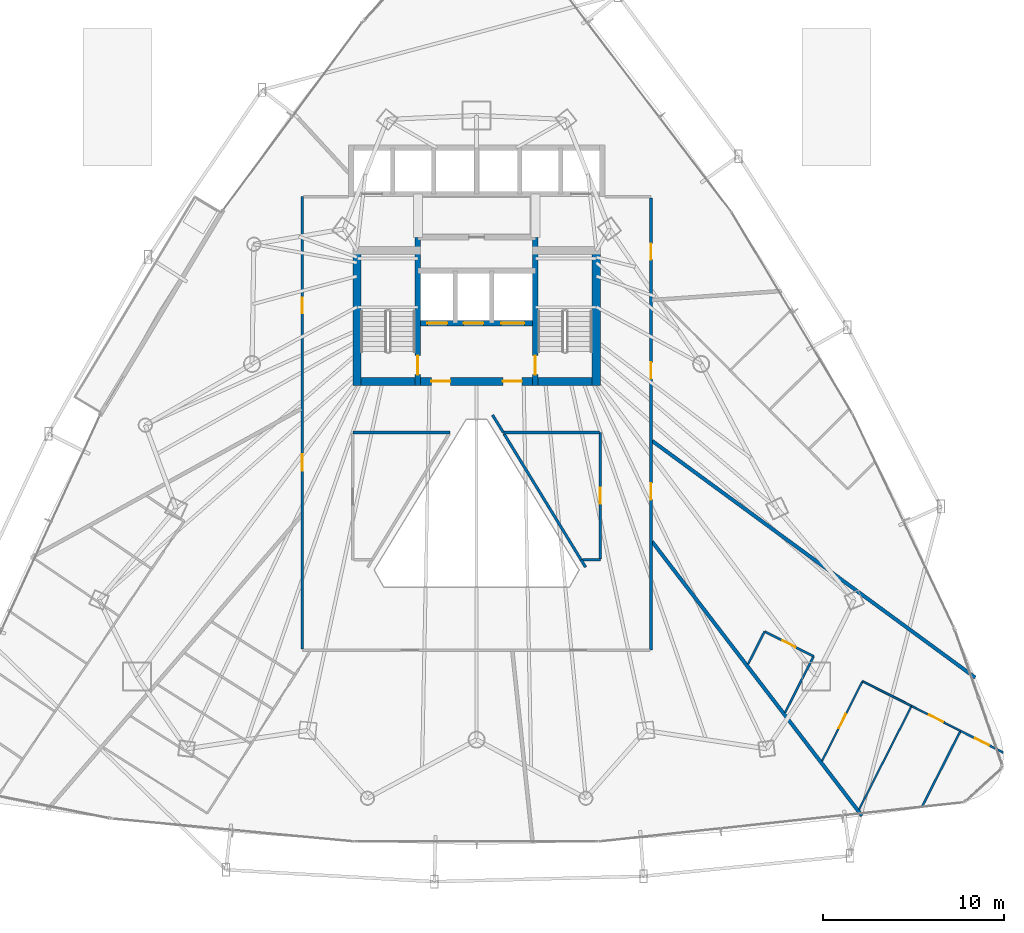
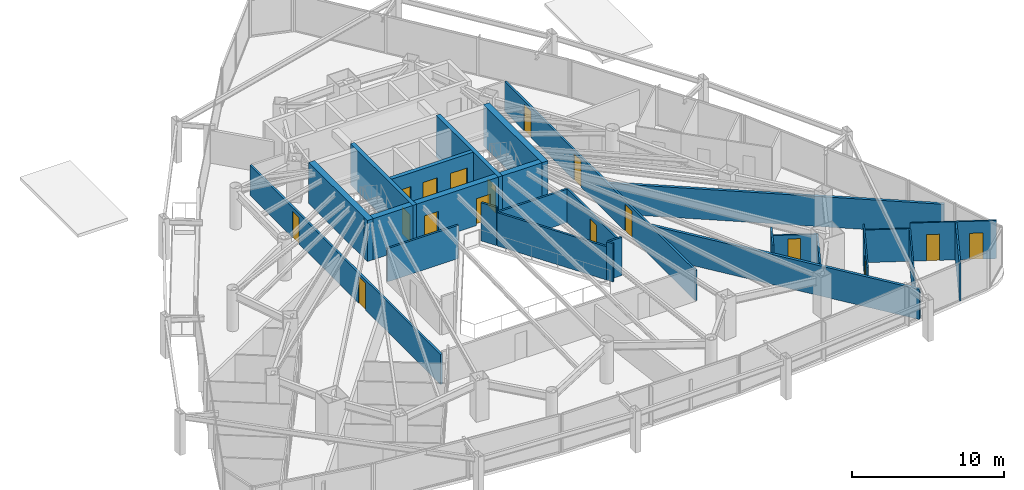
# One storey, part 30 of 35: 26 walls, 17 doors, 17 openings.
"""IFC4 building model written with IfcOpenShell, lengths in metres."""

from ifc_helpers import new_model, si_unit, direction, frame, frame_2d, origin, place, context, subcontext, project, spatial, rectangle, extrude, material, layer, layer_set, type_object, element, fill, save


model = new_model("IFC4")

# Units and contexts
model_context = context("Model", 3, precision=1e-05, world=origin(), true_north=direction((0.0, 1.0)))
body_context = subcontext(model_context, "Body", "Model", "MODEL_VIEW")
ifc_project = project(units=[si_unit("LENGTHUNIT", "METRE"), si_unit("AREAUNIT", "SQUARE_METRE"), si_unit("VOLUMEUNIT", "CUBIC_METRE"), si_unit("PLANEANGLEUNIT", "RADIAN"), si_unit("MASSUNIT", "GRAM", prefix="KILO")], contexts=[model_context])

# Site, building, storey
site_placement = place(None, origin())
site = spatial("IfcSite", under=ifc_project, at=site_placement, CompositionType="ELEMENT")
building_placement = place(site_placement, origin())
building = spatial("IfcBuilding", under=site, at=building_placement, Name="Orvanel Arch Residences", CompositionType="ELEMENT")
storey_placement = place(building_placement, frame((0.0, 0.0, 26.89990234375)))
storey = spatial("IfcBuildingStorey", under=building, at=storey_placement, Name="L06", CompositionType="ELEMENT", Elevation=26.89990234375)

# Wall, opening, door
ifc_material_1 = material(Name="Concrete S80 (80 MPa)", Category="concrete")
ifc_layer_1 = layer(ifc_material_1, 0.300048828125)
ifc_layer_set_1 = layer_set([ifc_layer_1], Name="Concrete S80 (80 MPa)")
wall_type_1 = type_object("IfcWallType", Name="SW-CORE-300", PredefinedType="SHEAR", material=ifc_layer_set_1)
wall_1_placement = place(storey_placement, frame((29.75, 26.449951171875, 0.0), z_axis=(0.0, 0.0, 1.0), x_axis=(0.0, 1.0, 0.0)))
wall_1 = element("IfcWall", 1, at=wall_1_placement, inside=storey, type_object=wall_type_1, Name="L06 West Inner Core Spine Shear Wall", PredefinedType="SHEAR", context=body_context, shape_type="SweptSolid", body=[
    extrude(rectangle(XDim=8.199951171875, YDim=0.300048828125, at=frame_2d((4.10009765625, 0.0))), origin(), (0.0, 0.0, 1.0), 3.300048828125),
])
opening_1_placement = place(wall_1_placement, frame((0.60009765625, 0.0, 0.0)))
opening_1 = element("IfcOpeningElement", 2, at=opening_1_placement, cuts=wall_1, Name="Opening DF-120", PredefinedType="OPENING", context=body_context, shape_type="SweptSolid", body=[
    extrude(rectangle(XDim=1.050048828125, YDim=2.14990234375, at=frame_2d((0.52490234375, 1.074951171875))), frame((0.0, 0.159912109375, 0.0), z_axis=(0.0, -1.0, 0.0), x_axis=(1.0, 0.0, 0.0)), (0.0, 0.0, 1.0), 0.320068359375),
])
ifc_material_2 = material(Name="Galvanised steel fire-resisting door assembly", Category="steel")
door_type_1 = type_object("IfcDoorType", Name="DR-FD120-1050", OperationType="NOTDEFINED", PredefinedType="DOOR", material=ifc_material_2)
door_1_placement = place(opening_1_placement, origin())
door_1 = element("IfcDoor", 3, at=door_1_placement, inside=storey, type_object=door_type_1, Name="DR-L06-ST1 L06 Stair 1 Fire Door", OperationType="SINGLE_SWING_LEFT", OverallHeight=2.14990234375, OverallWidth=1.050048828125, PredefinedType="DOOR", context=body_context, shape_type="SweptSolid", body=[
    extrude(rectangle(XDim=1.050048828125, YDim=2.14990234375, at=frame_2d((0.52490234375, 1.074951171875))), frame((0.0, 0.02490234375, 0.0), z_axis=(0.0, -1.0, 0.0), x_axis=(1.0, 0.0, 0.0)), (0.0, 0.0, 1.0), 0.050048828125),
])
fill(opening_1, door_1)

wall_2_placement = place(storey_placement, frame((36.25, 26.449951171875, 0.0), z_axis=(0.0, 0.0, 1.0), x_axis=(0.0, 1.0, 0.0)))
wall_2 = element("IfcWall", 4, at=wall_2_placement, inside=storey, type_object=wall_type_1, Name="L06 East Inner Core Spine Shear Wall", PredefinedType="SHEAR", context=body_context, shape_type="SweptSolid", body=[
    extrude(rectangle(XDim=8.199951171875, YDim=0.300048828125, at=frame_2d((4.10009765625, 0.0))), origin(), (0.0, 0.0, 1.0), 3.300048828125),
])
opening_2_placement = place(wall_2_placement, frame((0.60009765625, 0.0, 0.0)))
opening_2 = element("IfcOpeningElement", 5, at=opening_2_placement, cuts=wall_2, Name="Opening DF-120", PredefinedType="OPENING", context=body_context, shape_type="SweptSolid", body=[
    extrude(rectangle(XDim=1.050048828125, YDim=2.14990234375, at=frame_2d((0.52490234375, 1.074951171875))), frame((0.0, 0.159912109375, 0.0), z_axis=(0.0, -1.0, 0.0), x_axis=(1.0, 0.0, 0.0)), (0.0, 0.0, 1.0), 0.320068359375),
])
door_2_placement = place(opening_2_placement, origin())
door_2 = element("IfcDoor", 6, at=door_2_placement, inside=storey, type_object=door_type_1, Name="DR-L06-ST2 L06 Stair 2 Fire Door", OperationType="SINGLE_SWING_RIGHT", OverallHeight=2.14990234375, OverallWidth=1.050048828125, PredefinedType="DOOR", context=body_context, shape_type="SweptSolid", body=[
    extrude(rectangle(XDim=1.050048828125, YDim=2.14990234375, at=frame_2d((0.52490234375, 1.074951171875))), frame((0.0, 0.02490234375, 0.0), z_axis=(0.0, -1.0, 0.0), x_axis=(1.0, 0.0, 0.0)), (0.0, 0.0, 1.0), 0.050048828125),
])
fill(opening_2, door_2)

# Wall, openings, doors
wall_3_placement = place(storey_placement, frame((36.25, 29.89990234375, 0.0), z_axis=(0.0, 0.0, 1.0), x_axis=(-1.0, 0.0, 0.0)))
wall_3 = element("IfcWall", 7, at=wall_3_placement, inside=storey, type_object=wall_type_1, Name="L06 Emergency Lift Front Core Shear Wall", PredefinedType="SHEAR", context=body_context, shape_type="SweptSolid", body=[
    extrude(rectangle(XDim=6.5, YDim=0.300048828125, at=frame_2d((3.25, 0.0))), origin(), (0.0, 0.0, 1.0), 3.300048828125),
])
opening_3_placement = place(wall_3_placement, frame((4.875, 0.0, 0.0)))
opening_3 = element("IfcOpeningElement", 8, at=opening_3_placement, cuts=wall_3, Name="Opening LD-110", PredefinedType="OPENING", context=body_context, shape_type="SweptSolid", body=[
    extrude(rectangle(XDim=1.10009765625, YDim=2.199951171875, at=frame_2d((0.550048828125, 1.10009765625))), frame((0.0, 0.159912109375, 0.0), z_axis=(0.0, -1.0, 0.0), x_axis=(1.0, 0.0, 0.0)), (0.0, 0.0, 1.0), 0.320068359375),
])
opening_4_placement = place(wall_3_placement, frame((2.875, 0.0, 0.0)))
opening_4 = element("IfcOpeningElement", 9, at=opening_4_placement, cuts=wall_3, Name="Opening LD-110", PredefinedType="OPENING", context=body_context, shape_type="SweptSolid", body=[
    extrude(rectangle(XDim=1.10009765625, YDim=2.199951171875, at=frame_2d((0.550048828125, 1.10009765625))), frame((0.0, 0.159912109375, 0.0), z_axis=(0.0, -1.0, 0.0), x_axis=(1.0, 0.0, 0.0)), (0.0, 0.0, 1.0), 0.320068359375),
])
opening_5_placement = place(wall_3_placement, frame((0.60009765625, 0.0, 0.0)))
opening_5 = element("IfcOpeningElement", 10, at=opening_5_placement, cuts=wall_3, Name="Opening LD-130", PredefinedType="OPENING", context=body_context, shape_type="SweptSolid", body=[
    extrude(rectangle(XDim=1.300048828125, YDim=2.199951171875, at=frame_2d((0.64990234375, 1.10009765625))), frame((0.0, 0.159912109375, 0.0), z_axis=(0.0, -1.0, 0.0), x_axis=(1.0, 0.0, 0.0)), (0.0, 0.0, 1.0), 0.320068359375),
])
door_type_2 = type_object("IfcDoorType", Name="DR-LFT-1100", OperationType="NOTDEFINED", PredefinedType="DOOR", material=ifc_material_2)
door_3_placement = place(opening_3_placement, origin())
door_3 = element("IfcDoor", 11, at=door_3_placement, inside=storey, type_object=door_type_2, Name="LD-F1-L06 L06 Lift F1 Sliding Landing Door", OperationType="DOUBLE_DOOR_SLIDING", OverallHeight=2.199951171875, OverallWidth=1.10009765625, PredefinedType="DOOR", context=body_context, shape_type="SweptSolid", body=[
    extrude(rectangle(XDim=1.10009765625, YDim=2.199951171875, at=frame_2d((0.550048828125, 1.10009765625))), frame((0.0, 0.02490234375, 0.0), z_axis=(0.0, -1.0, 0.0), x_axis=(1.0, 0.0, 0.0)), (0.0, 0.0, 1.0), 0.050048828125),
])
fill(opening_3, door_3)
door_4_placement = place(opening_4_placement, origin())
door_4 = element("IfcDoor", 12, at=door_4_placement, inside=storey, type_object=door_type_2, Name="LD-F2-L06 L06 Lift F2 Sliding Landing Door", OperationType="DOUBLE_DOOR_SLIDING", OverallHeight=2.199951171875, OverallWidth=1.10009765625, PredefinedType="DOOR", context=body_context, shape_type="SweptSolid", body=[
    extrude(rectangle(XDim=1.10009765625, YDim=2.199951171875, at=frame_2d((0.550048828125, 1.10009765625))), frame((0.0, 0.02490234375, 0.0), z_axis=(0.0, -1.0, 0.0), x_axis=(1.0, 0.0, 0.0)), (0.0, 0.0, 1.0), 0.050048828125),
])
fill(opening_4, door_4)
door_type_3 = type_object("IfcDoorType", Name="DR-LFT-1300", OperationType="NOTDEFINED", PredefinedType="DOOR", material=ifc_material_2)
door_5_placement = place(opening_5_placement, origin())
door_5 = element("IfcDoor", 13, at=door_5_placement, inside=storey, type_object=door_type_3, Name="LD-G1-L06 L06 Lift G1 Sliding Landing Door", OperationType="DOUBLE_DOOR_SLIDING", OverallHeight=2.199951171875, OverallWidth=1.300048828125, PredefinedType="DOOR", context=body_context, shape_type="SweptSolid", body=[
    extrude(rectangle(XDim=1.300048828125, YDim=2.199951171875, at=frame_2d((0.64990234375, 1.10009765625))), frame((0.0, 0.02490234375, 0.0), z_axis=(0.0, -1.0, 0.0), x_axis=(1.0, 0.0, 0.0)), (0.0, 0.0, 1.0), 0.050048828125),
])
fill(opening_5, door_5)

ifc_layer_2 = layer(ifc_material_1, 0.449951171875)
ifc_layer_set_2 = layer_set([ifc_layer_2], Name="Concrete S80 (80 MPa)")
wall_type_2 = type_object("IfcWallType", Name="SW-CORE-450", PredefinedType="SHEAR", material=ifc_layer_set_2)
wall_4_placement = place(storey_placement, frame((26.14990234375, 26.675048828125, 0.0), z_axis=(0.0, 0.0, 1.0), x_axis=(1.0, 0.0, 0.0)))
wall_4 = element("IfcWall", 14, at=wall_4_placement, inside=storey, type_object=wall_type_2, Name="L06 South Core Shear Wall", PredefinedType="SHEAR", context=body_context, shape_type="SweptSolid", body=[
    extrude(rectangle(XDim=13.7001953125, YDim=0.449951171875, at=frame_2d((6.85009765625, 0.0))), origin(), (0.0, 0.0, 1.0), 3.300048828125),
])
opening_6_placement = place(wall_4_placement, frame((4.35009765625, 0.0, 0.0)))
opening_6 = element("IfcOpeningElement", 15, at=opening_6_placement, cuts=wall_4, Name="Opening DF-060", PredefinedType="OPENING", context=body_context, shape_type="SweptSolid", body=[
    extrude(rectangle(XDim=1.050048828125, YDim=2.14990234375, at=frame_2d((0.52490234375, 1.074951171875))), frame((0.0, 0.23486328125, 0.0), z_axis=(0.0, -1.0, 0.0), x_axis=(1.0, 0.0, 0.0)), (0.0, 0.0, 1.0), 0.469970703125),
])
opening_7_placement = place(wall_4_placement, frame((8.300048828125, 0.0, 0.0)))
opening_7 = element("IfcOpeningElement", 16, at=opening_7_placement, cuts=wall_4, Name="Opening DF-060", PredefinedType="OPENING", context=body_context, shape_type="SweptSolid", body=[
    extrude(rectangle(XDim=1.050048828125, YDim=2.14990234375, at=frame_2d((0.52490234375, 1.074951171875))), frame((0.0, 0.23486328125, 0.0), z_axis=(0.0, -1.0, 0.0), x_axis=(1.0, 0.0, 0.0)), (0.0, 0.0, 1.0), 0.469970703125),
])
door_type_4 = type_object("IfcDoorType", Name="DR-FD60-1050", OperationType="NOTDEFINED", PredefinedType="DOOR", material=ifc_material_2)
door_6_placement = place(opening_6_placement, origin())
door_6 = element("IfcDoor", 17, at=door_6_placement, inside=storey, type_object=door_type_4, Name="DR-L06-FFL-W L06 West Smoke Lobby Door", OperationType="SINGLE_SWING_LEFT", OverallHeight=2.14990234375, OverallWidth=1.050048828125, PredefinedType="DOOR", context=body_context, shape_type="SweptSolid", body=[
    extrude(rectangle(XDim=1.050048828125, YDim=2.14990234375, at=frame_2d((0.52490234375, 1.074951171875))), frame((0.0, 0.02490234375, 0.0), z_axis=(0.0, -1.0, 0.0), x_axis=(1.0, 0.0, 0.0)), (0.0, 0.0, 1.0), 0.050048828125),
])
fill(opening_6, door_6)
door_7_placement = place(opening_7_placement, origin())
door_7 = element("IfcDoor", 18, at=door_7_placement, inside=storey, type_object=door_type_4, Name="DR-L06-FFL-E L06 East Smoke Lobby Door", OperationType="SINGLE_SWING_RIGHT", OverallHeight=2.14990234375, OverallWidth=1.050048828125, PredefinedType="DOOR", context=body_context, shape_type="SweptSolid", body=[
    extrude(rectangle(XDim=1.050048828125, YDim=2.14990234375, at=frame_2d((0.52490234375, 1.074951171875))), frame((0.0, 0.02490234375, 0.0), z_axis=(0.0, -1.0, 0.0), x_axis=(1.0, 0.0, 0.0)), (0.0, 0.0, 1.0), 0.050048828125),
])
fill(opening_7, door_7)

# Walls
for number, where, z_axis, x_axis, name in (
    (19, (26.375, 26.449951171875, 0.0), (0.0, 0.0, 1.0), (0.0, 1.0, 0.0), "L06 West Stair Shear Wall"),
    (20, (39.625, 26.449951171875, 0.0), (0.0, 0.0, 1.0), (0.0, 1.0, 0.0), "L06 East Stair Shear Wall"),
):
    element("IfcWall", number, at=place(storey_placement, frame(where, z_axis=z_axis, x_axis=x_axis)), inside=storey, type_object=wall_type_2, Name=name, PredefinedType="SHEAR", context=body_context, shape_type="SweptSolid", body=[
        extrude(rectangle(XDim=7.699951171875, YDim=0.449951171875, at=frame_2d((3.85009765625, 0.0))), origin(), (0.0, 0.0, 1.0), 3.300048828125),
    ])

# Wall, openings, doors
ifc_material_3 = material(Name="Fire-rated plasterboard lined steel stud partition", Category="steel")
ifc_layer_3 = layer(ifc_material_3, 0.14990234375)
ifc_layer_set_3 = layer_set([ifc_layer_3], Name="Fire-rated plasterboard lined steel stud partition")
wall_type_3 = type_object("IfcWallType", Name="W-COR-150", PredefinedType="PARTITIONING", material=ifc_layer_set_3)
wall_5_placement = place(storey_placement, frame((42.64990234375, 36.840087890625, 0.0), z_axis=(0.0, 0.0, 1.0), x_axis=(0.0, -1.0, 0.0)))
wall_5 = element("IfcWall", 21, at=wall_5_placement, inside=storey, type_object=wall_type_3, Name="L06 Corridor Fire-Rated Partition", PredefinedType="PARTITIONING", context=body_context, shape_type="SweptSolid", body=[
    extrude(rectangle(XDim=25.0400390625, YDim=0.14990234375, at=frame_2d((12.52001953125, 0.0))), origin(), (0.0, 0.0, 1.0), 2.4130859375),
])
opening_8_placement = place(wall_5_placement, frame((2.54296875, 0.0, 0.0)))
opening_8 = element("IfcOpeningElement", 22, at=opening_8_placement, cuts=wall_5, Name="Opening DI-088", PredefinedType="OPENING", context=body_context, shape_type="SweptSolid", body=[
    extrude(rectangle(XDim=0.8798828125, YDim=2.10009765625, at=frame_2d((0.43994140625, 1.050048828125))), frame((0.0, 0.0849609375, 0.0), z_axis=(0.0, -1.0, 0.0), x_axis=(1.0, 0.0, 0.0)), (0.0, 0.0, 1.0), 0.169921875),
])
opening_9_placement = place(wall_5_placement, frame((15.7900390625, 0.0, 0.0)))
opening_9 = element("IfcOpeningElement", 23, at=opening_9_placement, cuts=wall_5, Name="Opening DA-092", PredefinedType="OPENING", context=body_context, shape_type="SweptSolid", body=[
    extrude(rectangle(XDim=0.919921875, YDim=2.14990234375, at=frame_2d((0.4599609375, 1.074951171875))), frame((0.0, 0.0849609375, 0.0), z_axis=(0.0, -1.0, 0.0), x_axis=(1.0, 0.0, 0.0)), (0.0, 0.0, 1.0), 0.169921875),
])
opening_10_placement = place(wall_5_placement, frame((9.10302734375, 0.0, 0.0)))
opening_10 = element("IfcOpeningElement", 24, at=opening_10_placement, cuts=wall_5, Name="Opening DA-092", PredefinedType="OPENING", context=body_context, shape_type="SweptSolid", body=[
    extrude(rectangle(XDim=0.919921875, YDim=2.14990234375, at=frame_2d((0.4599609375, 1.074951171875))), frame((0.0, 0.0849609375, 0.0), z_axis=(0.0, -1.0, 0.0), x_axis=(1.0, 0.0, 0.0)), (0.0, 0.0, 1.0), 0.169921875),
])
ifc_material_4 = material(Name="Solid-core European oak veneer fire door leaf", Category="wood")
door_type_5 = type_object("IfcDoorType", Name="DR-APT-920", OperationType="NOTDEFINED", PredefinedType="DOOR", material=ifc_material_4)
door_8_placement = place(opening_9_placement, origin())
door_8 = element("IfcDoor", 25, at=door_8_placement, inside=storey, type_object=door_type_5, Name="DR-L06-E-ENT L06 Flat E Entrance Door", OperationType="SINGLE_SWING_RIGHT", OverallHeight=2.14990234375, OverallWidth=0.919921875, PredefinedType="DOOR", context=body_context, shape_type="SweptSolid", body=[
    extrude(rectangle(XDim=0.919921875, YDim=2.14990234375, at=frame_2d((0.4599609375, 1.074951171875))), frame((0.0, 0.02490234375, 0.0), z_axis=(0.0, -1.0, 0.0), x_axis=(1.0, 0.0, 0.0)), (0.0, 0.0, 1.0), 0.050048828125),
])
fill(opening_9, door_8)
door_9_placement = place(opening_10_placement, origin())
door_9 = element("IfcDoor", 26, at=door_9_placement, inside=storey, type_object=door_type_5, Name="DR-L06-F-ENT L06 Flat F Entrance Door", OperationType="SINGLE_SWING_LEFT", OverallHeight=2.14990234375, OverallWidth=0.919921875, PredefinedType="DOOR", context=body_context, shape_type="SweptSolid", body=[
    extrude(rectangle(XDim=0.919921875, YDim=2.14990234375, at=frame_2d((0.4599609375, 1.074951171875))), frame((0.0, 0.02490234375, 0.0), z_axis=(0.0, -1.0, 0.0), x_axis=(1.0, 0.0, 0.0)), (0.0, 0.0, 1.0), 0.050048828125),
])
fill(opening_10, door_9)
door_type_6 = type_object("IfcDoorType", Name="DR-INT-880", OperationType="NOTDEFINED", PredefinedType="DOOR", material=ifc_material_4)
door_10_placement = place(opening_8_placement, origin())
door_10 = element("IfcDoor", 27, at=door_10_placement, inside=storey, type_object=door_type_6, Name="DR-L06-SHRD-FB2 L06 Co-Working Study Office B Door", OperationType="SINGLE_SWING_LEFT", OverallHeight=2.10009765625, OverallWidth=0.8798828125, PredefinedType="DOOR", context=body_context, shape_type="SweptSolid", body=[
    extrude(rectangle(XDim=0.8798828125, YDim=2.10009765625, at=frame_2d((0.43994140625, 1.050048828125))), frame((0.0, 0.02490234375, 0.0), z_axis=(0.0, -1.0, 0.0), x_axis=(1.0, 0.0, 0.0)), (0.0, 0.0, 1.0), 0.050048828125),
])
fill(opening_8, door_10)

wall_6_placement = place(storey_placement, frame((23.35009765625, 11.860107421875, 0.0), z_axis=(0.0, 0.0, 1.0), x_axis=(0.0, 1.0, 0.0)))
wall_6 = element("IfcWall", 28, at=wall_6_placement, inside=storey, type_object=wall_type_3, Name="L06 Corridor Fire-Rated Partition", PredefinedType="PARTITIONING", context=body_context, shape_type="SweptSolid", body=[
    extrude(rectangle(XDim=25.039794921875, YDim=0.14990234375, at=frame_2d((12.52001953125, 0.0))), origin(), (0.0, 0.0, 1.0), 2.4130859375),
])
opening_11_placement = place(wall_6_placement, frame((9.8720703125, 0.0, 0.0)))
opening_11 = element("IfcOpeningElement", 29, at=opening_11_placement, cuts=wall_6, Name="Opening DA-092", PredefinedType="OPENING", context=body_context, shape_type="SweptSolid", body=[
    extrude(rectangle(XDim=0.919921875, YDim=2.14990234375, at=frame_2d((0.4599609375, 1.074951171875))), frame((0.0, 0.0849609375, 0.0), z_axis=(0.0, -1.0, 0.0), x_axis=(1.0, 0.0, 0.0)), (0.0, 0.0, 1.0), 0.169921875),
])
opening_12_placement = place(wall_6_placement, frame((18.577880859375, 0.0, 0.0)))
opening_12 = element("IfcOpeningElement", 30, at=opening_12_placement, cuts=wall_6, Name="Opening DI-088", PredefinedType="OPENING", context=body_context, shape_type="SweptSolid", body=[
    extrude(rectangle(XDim=0.8798828125, YDim=2.10009765625, at=frame_2d((0.43994140625, 1.050048828125))), frame((0.0, 0.0849609375, 0.0), z_axis=(0.0, -1.0, 0.0), x_axis=(1.0, 0.0, 0.0)), (0.0, 0.0, 1.0), 0.169921875),
])
door_11_placement = place(opening_11_placement, origin())
door_11 = element("IfcDoor", 31, at=door_11_placement, inside=storey, type_object=door_type_5, Name="DR-L06-C-ENT L06 Flat C Entrance Door", OperationType="SINGLE_SWING_RIGHT", OverallHeight=2.14990234375, OverallWidth=0.919921875, PredefinedType="DOOR", context=body_context, shape_type="SweptSolid", body=[
    extrude(rectangle(XDim=0.919921875, YDim=2.14990234375, at=frame_2d((0.4599609375, 1.074951171875))), frame((0.0, 0.02490234375, 0.0), z_axis=(0.0, -1.0, 0.0), x_axis=(1.0, 0.0, 0.0)), (0.0, 0.0, 1.0), 0.050048828125),
])
fill(opening_11, door_11)
door_12_placement = place(opening_12_placement, origin())
door_12 = element("IfcDoor", 32, at=door_12_placement, inside=storey, type_object=door_type_6, Name="DR-L06-SHRD-FB7 L06 Co-Working Study Office G Door", OperationType="SINGLE_SWING_LEFT", OverallHeight=2.10009765625, OverallWidth=0.8798828125, PredefinedType="DOOR", context=body_context, shape_type="SweptSolid", body=[
    extrude(rectangle(XDim=0.8798828125, YDim=2.10009765625, at=frame_2d((0.43994140625, 1.050048828125))), frame((0.0, 0.02490234375, 0.0), z_axis=(0.0, -1.0, 0.0), x_axis=(1.0, 0.0, 0.0)), (0.0, 0.0, 1.0), 0.050048828125),
])
fill(opening_12, door_12)

# Walls
wall_7_placement = place(storey_placement, frame((31.52294921875, 23.85009765625, 0.0), z_axis=(0.0, 0.0, 1.0), x_axis=(-1.0, 0.0, 0.0)))
element("IfcWall", 33, at=wall_7_placement, inside=storey, type_object=wall_type_3, Name="L06 Corridor Fire-Rated Partition", PredefinedType="PARTITIONING", context=body_context, shape_type="SweptSolid", body=[
    extrude(rectangle(XDim=5.373046875, YDim=0.14990234375, at=frame_2d((2.6865234375, 0.0))), origin(), (0.0, 0.0, 1.0), 2.669189453125),
])
wall_8_placement = place(storey_placement, frame((39.030029296875, 16.39404296875, 0.0), z_axis=(0.0, 0.0, 1.0), x_axis=(-0.51343298076, 0.858129695482, 0.0)))
element("IfcWall", 34, at=wall_8_placement, inside=storey, type_object=wall_type_3, Name="L06 Corridor Fire-Rated Partition", PredefinedType="PARTITIONING", context=body_context, shape_type="SweptSolid", body=[
    extrude(rectangle(XDim=0.47314453125, YDim=0.14990234375, at=frame_2d((0.236572265625, 0.0))), origin(), (0.0, 0.0, 1.0), 3.06005859375),
])
wall_9_placement = place(storey_placement, frame((38.85693359375, 16.800048828125, 0.0), z_axis=(0.0, 0.0, 1.0), x_axis=(1.0, 0.0, 0.0)))
element("IfcWall", 35, at=wall_9_placement, inside=storey, type_object=wall_type_3, Name="L06 Corridor Fire-Rated Partition", PredefinedType="PARTITIONING", context=body_context, shape_type="SweptSolid", body=[
    extrude(rectangle(XDim=0.9931640625, YDim=0.14990234375, at=frame_2d((0.49658203125, 0.0))), origin(), (0.0, 0.0, 1.0), 3.06005859375),
])

# Wall, opening, door
wall_10_placement = place(storey_placement, frame((39.85009765625, 16.860107421875, 0.0), z_axis=(0.0, 0.0, 1.0), x_axis=(0.0, 1.0, 0.0)))
wall_10 = element("IfcWall", 36, at=wall_10_placement, inside=storey, type_object=wall_type_3, Name="L06 Corridor Fire-Rated Partition", PredefinedType="PARTITIONING", context=body_context, shape_type="SweptSolid", body=[
    extrude(rectangle(XDim=6.989990234375, YDim=0.14990234375, at=frame_2d((3.4951171875, 0.0))), origin(), (0.0, 0.0, 1.0), 2.669189453125),
])
opening_13_placement = place(wall_10_placement, frame((3.054931640625, 0.0, 0.0)))
opening_13 = element("IfcOpeningElement", 37, at=opening_13_placement, cuts=wall_10, Name="Opening DI-088", PredefinedType="OPENING", context=body_context, shape_type="SweptSolid", body=[
    extrude(rectangle(XDim=0.8798828125, YDim=2.10009765625, at=frame_2d((0.43994140625, 1.050048828125))), frame((0.0, 0.0849609375, 0.0), z_axis=(0.0, -1.0, 0.0), x_axis=(1.0, 0.0, 0.0)), (0.0, 0.0, 1.0), 0.169921875),
])
door_13_placement = place(opening_13_placement, origin())
door_13 = element("IfcDoor", 38, at=door_13_placement, inside=storey, type_object=door_type_6, Name="DR-L06-SHRD-FB8 L06 Co-Working Study Office H Door", OperationType="SINGLE_SWING_LEFT", OverallHeight=2.10009765625, OverallWidth=0.8798828125, PredefinedType="DOOR", context=body_context, shape_type="SweptSolid", body=[
    extrude(rectangle(XDim=0.8798828125, YDim=2.10009765625, at=frame_2d((0.43994140625, 1.050048828125))), frame((0.0, 0.02490234375, 0.0), z_axis=(0.0, -1.0, 0.0), x_axis=(1.0, 0.0, 0.0)), (0.0, 0.0, 1.0), 0.050048828125),
])
fill(opening_13, door_13)

# Walls
wall_11_placement = place(storey_placement, frame((39.7900390625, 23.85009765625, 0.0), z_axis=(0.0, 0.0, 1.0), x_axis=(-1.0, 0.0, 0.0)))
element("IfcWall", 39, at=wall_11_placement, inside=storey, type_object=wall_type_3, Name="L06 Corridor Fire-Rated Partition", PredefinedType="PARTITIONING", context=body_context, shape_type="SweptSolid", body=[
    extrude(rectangle(XDim=5.31298828125, YDim=0.14990234375, at=frame_2d((2.656494140625, 0.0))), origin(), (0.0, 0.0, 1.0), 2.669189453125),
])
wall_12_placement = place(storey_placement, frame((34.47705078125, 23.85107421875, 0.0), z_axis=(0.0, 0.0, 1.0), x_axis=(-0.52541513414, 0.8508460124, 0.0)))
element("IfcWall", 40, at=wall_12_placement, inside=storey, type_object=wall_type_3, Name="L06 Corridor Fire-Rated Partition", PredefinedType="PARTITIONING", context=body_context, shape_type="SweptSolid", body=[
    extrude(rectangle(XDim=1.136474609375, YDim=0.14990234375, at=frame_2d((0.568359375, 0.0))), origin(), (0.0, 0.0, 1.0), 3.06005859375),
])
wall_13_placement = place(storey_placement, frame((34.508056640625, 23.7900390625, 0.0), z_axis=(0.0, 0.0, 1.0), x_axis=(0.52163195406, -0.853170618636, 0.0)))
element("IfcWall", 41, at=wall_13_placement, inside=storey, type_object=wall_type_3, Name="L06 Atrium Overlook Glazed Partition", PredefinedType="PARTITIONING", context=body_context, shape_type="SweptSolid", body=[
    extrude(rectangle(XDim=8.1953125, YDim=0.14990234375, at=frame_2d((4.09765625, 0.0))), origin(), (0.0, 0.0, 1.0), 2.669189453125),
])
ifc_layer_4 = layer(ifc_material_3, 0.199951171875)
ifc_layer_set_4 = layer_set([ifc_layer_4], Name="Fire-rated plasterboard lined steel stud partition")
wall_type_4 = type_object("IfcWallType", Name="W-DEM-200", PredefinedType="PARTITIONING", material=ifc_layer_set_4)
wall_14_placement = place(storey_placement, frame((42.7099609375, 17.81298828125, 0.0), z_axis=(0.0, 0.0, 1.0), x_axis=(0.607788570878, -0.794098893784, 0.0)))
element("IfcWall", 42, at=wall_14_placement, inside=storey, type_object=wall_type_4, Name="L06 Inter-Tenancy Acoustic Demising Wall", PredefinedType="PARTITIONING", context=body_context, shape_type="SweptSolid", body=[
    extrude(rectangle(XDim=19.113525390625, YDim=0.199951171875, at=frame_2d((9.556640625, 0.0))), origin(), (0.0, 0.0, 1.0), 2.4130859375),
])
wall_15_placement = place(storey_placement, frame((42.7099609375, 23.386962890625, 0.0), z_axis=(0.0, 0.0, 1.0), x_axis=(0.806713303584, -0.590943014021, 0.0)))
element("IfcWall", 43, at=wall_15_placement, inside=storey, type_object=wall_type_4, Name="L06 Inter-Tenancy Acoustic Demising Wall", PredefinedType="PARTITIONING", context=body_context, shape_type="SweptSolid", body=[
    extrude(rectangle(XDim=22.17138671875, YDim=0.199951171875, at=frame_2d((11.085693359375, 0.0))), origin(), (0.0, 0.0, 1.0), 2.4130859375),
])

# Wall, opening, door
ifc_material_5 = material(Name="Acoustic plasterboard lined twin-stud partition", Category="gypsum")
ifc_layer_5 = layer(ifc_material_5, 0.10009765625)
ifc_layer_set_5 = layer_set([ifc_layer_5], Name="Acoustic plasterboard lined twin-stud partition")
wall_type_5 = type_object("IfcWallType", Name="W-INT-100", PredefinedType="PARTITIONING", material=ifc_layer_set_5)
wall_16_placement = place(storey_placement, frame((59.783935546875, 7.3330078125, 0.0), z_axis=(0.0, 0.0, 1.0), x_axis=(-0.891842269509, 0.452346511336, 0.0)))
wall_16 = element("IfcWall", 44, at=wall_16_placement, inside=storey, type_object=wall_type_5, Name="L06 Flat E Internal Partition", PredefinedType="PARTITIONING", context=body_context, shape_type="SweptSolid", body=[
    extrude(rectangle(XDim=3.039794921875, YDim=0.10009765625, at=frame_2d((1.52001953125, 0.0))), origin(), (0.0, 0.0, 1.0), 3.06005859375),
])
opening_14_placement = place(wall_16_placement, frame((1.080078125, 0.0, 0.0)))
opening_14 = element("IfcOpeningElement", 45, at=opening_14_placement, cuts=wall_16, Name="Opening DI-088", PredefinedType="OPENING", context=body_context, shape_type="SweptSolid", body=[
    extrude(rectangle(XDim=0.8798828125, YDim=2.10009765625, at=frame_2d((0.43994140625, 1.050048828125))), frame((0.0, 0.06005859375, 0.0), z_axis=(0.0, -1.0, 0.0), x_axis=(1.0, 0.0, 0.0)), (0.0, 0.0, 1.0), 0.1201171875),
])
door_14_placement = place(opening_14_placement, origin())
door_14 = element("IfcDoor", 46, at=door_14_placement, inside=storey, type_object=door_type_6, Name="DR-L06-E-BED1 L06 Flat E Bedroom 1 Door", OperationType="SINGLE_SWING_LEFT", OverallHeight=2.10009765625, OverallWidth=0.8798828125, PredefinedType="DOOR", context=body_context, shape_type="SweptSolid", body=[
    extrude(rectangle(XDim=0.8798828125, YDim=2.10009765625, at=frame_2d((0.43994140625, 1.050048828125))), frame((0.0, 0.02490234375, 0.0), z_axis=(0.0, -1.0, 0.0), x_axis=(1.0, 0.0, 0.0)), (0.0, 0.0, 1.0), 0.050048828125),
])
fill(opening_14, door_14)

# Wall
wall_17_placement = place(storey_placement, frame((57.072998046875, 8.7080078125, 0.0), z_axis=(0.0, 0.0, 1.0), x_axis=(-0.891842269509, 0.452346511336, 0.0)))
element("IfcWall", 47, at=wall_17_placement, inside=storey, type_object=wall_type_5, Name="L06 Flat E Internal Partition", PredefinedType="PARTITIONING", context=body_context, shape_type="SweptSolid", body=[
    extrude(rectangle(XDim=3.039794921875, YDim=0.10009765625, at=frame_2d((1.52001953125, 0.0))), origin(), (0.0, 0.0, 1.0), 2.619140625),
])

# Wall, opening, door
wall_18_placement = place(storey_placement, frame((54.362060546875, 10.0830078125, 0.0), z_axis=(0.0, 0.0, 1.0), x_axis=(-0.452306340277, -0.891862643317, 0.0)))
wall_18 = element("IfcWall", 48, at=wall_18_placement, inside=storey, type_object=wall_type_5, Name="L06 Flat E Internal Partition", PredefinedType="PARTITIONING", context=body_context, shape_type="SweptSolid", body=[
    extrude(rectangle(XDim=4.95947265625, YDim=0.10009765625, at=frame_2d((2.479736328125, 0.0))), origin(), (0.0, 0.0, 1.0), 3.06005859375),
])
opening_15_placement = place(wall_18_placement, frame((2.0400390625, 0.0, 0.0)))
opening_15 = element("IfcOpeningElement", 49, at=opening_15_placement, cuts=wall_18, Name="Opening DI-088", PredefinedType="OPENING", context=body_context, shape_type="SweptSolid", body=[
    extrude(rectangle(XDim=0.8798828125, YDim=2.10009765625, at=frame_2d((0.43994140625, 1.050048828125))), frame((0.0, 0.06005859375, 0.0), z_axis=(0.0, -1.0, 0.0), x_axis=(1.0, 0.0, 0.0)), (0.0, 0.0, 1.0), 0.1201171875),
])
door_15_placement = place(opening_15_placement, origin())
door_15 = element("IfcDoor", 50, at=door_15_placement, inside=storey, type_object=door_type_6, Name="DR-L06-E-DIN2 L06 Flat E Dining Room 2 Door", OperationType="SINGLE_SWING_LEFT", OverallHeight=2.10009765625, OverallWidth=0.8798828125, PredefinedType="DOOR", context=body_context, shape_type="SweptSolid", body=[
    extrude(rectangle(XDim=0.8798828125, YDim=2.10009765625, at=frame_2d((0.43994140625, 1.050048828125))), frame((0.0, 0.02490234375, 0.0), z_axis=(0.0, -1.0, 0.0), x_axis=(1.0, 0.0, 0.0)), (0.0, 0.0, 1.0), 0.050048828125),
])
fill(opening_15, door_15)

# Walls
wall_19_placement = place(storey_placement, frame((54.16796875, 2.98193359375, 0.0), z_axis=(0.0, 0.0, 1.0), x_axis=(0.452437935158, 0.891795893033, 0.0)))
element("IfcWall", 51, at=wall_19_placement, inside=storey, type_object=wall_type_5, Name="L06 Flat E Internal Partition", PredefinedType="PARTITIONING", context=body_context, shape_type="SweptSolid", body=[
    extrude(rectangle(XDim=6.4208984375, YDim=0.10009765625, at=frame_2d((3.21044921875, 0.0))), origin(), (0.0, 0.0, 1.0), 2.619140625),
])
ifc_layer_6 = layer(ifc_material_5, 0.1201171875)
ifc_layer_set_6 = layer_set([ifc_layer_6], Name="Acoustic plasterboard lined twin-stud partition")
wall_type_6 = type_object("IfcWallType", Name="W-WET-120", PredefinedType="PARTITIONING", material=ifc_layer_set_6)
wall_20_placement = place(storey_placement, frame((50.069091796875, 8.337890625, 0.0), z_axis=(0.0, 0.0, 1.0), x_axis=(0.45217581214, 0.891928828391, 0.0)))
element("IfcWall", 52, at=wall_20_placement, inside=storey, type_object=wall_type_6, Name="L06 Flat E Bathroom Partition", PredefinedType="PARTITIONING", context=body_context, shape_type="SweptSolid", body=[
    extrude(rectangle(XDim=3.498046875, YDim=0.1201171875, at=frame_2d((1.7490234375, 0.0))), origin(), (0.0, 0.0, 1.0), 2.4130859375),
])

# Wall, opening, door
wall_21_placement = place(storey_placement, frame((51.65087890625, 11.4580078125, 0.0), z_axis=(0.0, 0.0, 1.0), x_axis=(-0.891842269509, 0.452346511336, 0.0)))
wall_21 = element("IfcWall", 53, at=wall_21_placement, inside=storey, type_object=wall_type_6, Name="L06 Flat E Bathroom Partition", PredefinedType="PARTITIONING", context=body_context, shape_type="SweptSolid", body=[
    extrude(rectangle(XDim=3.039794921875, YDim=0.1201171875, at=frame_2d((1.52001953125, 0.0))), origin(), (0.0, 0.0, 1.0), 2.4130859375),
])
opening_16_placement = place(wall_21_placement, frame((1.110107421875, 0.0, 0.0)))
opening_16 = element("IfcOpeningElement", 54, at=opening_16_placement, cuts=wall_21, Name="Opening DW-082", PredefinedType="OPENING", context=body_context, shape_type="SweptSolid", body=[
    extrude(rectangle(XDim=0.820068359375, YDim=2.10009765625, at=frame_2d((0.41015625, 1.050048828125))), frame((0.0, 0.070068359375, 0.0), z_axis=(0.0, -1.0, 0.0), x_axis=(1.0, 0.0, 0.0)), (0.0, 0.0, 1.0), 0.14013671875),
])
door_type_7 = type_object("IfcDoorType", Name="DR-WET-820", OperationType="NOTDEFINED", PredefinedType="DOOR", material=ifc_material_4)
door_16_placement = place(opening_16_placement, origin())
door_16 = element("IfcDoor", 55, at=door_16_placement, inside=storey, type_object=door_type_7, Name="DR-L06-E-BATH L06 Flat E Bathroom Door", OperationType="SINGLE_SWING_RIGHT", OverallHeight=2.10009765625, OverallWidth=0.820068359375, PredefinedType="DOOR", context=body_context, shape_type="SweptSolid", body=[
    extrude(rectangle(XDim=0.820068359375, YDim=2.10009765625, at=frame_2d((0.41015625, 1.050048828125))), frame((0.0, 0.02490234375, 0.0), z_axis=(0.0, -1.0, 0.0), x_axis=(1.0, 0.0, 0.0)), (0.0, 0.0, 1.0), 0.050048828125),
])
fill(opening_16, door_16)

# Wall
wall_22_placement = place(storey_placement, frame((48.93994140625, 12.8330078125, 0.0), z_axis=(0.0, 0.0, 1.0), x_axis=(-0.452097038501, -0.891968759418, 0.0)))
element("IfcWall", 56, at=wall_22_placement, inside=storey, type_object=wall_type_6, Name="L06 Flat E Bathroom Partition", PredefinedType="PARTITIONING", context=body_context, shape_type="SweptSolid", body=[
    extrude(rectangle(XDim=2.036865234375, YDim=0.1201171875, at=frame_2d((1.0185546875, 0.0))), origin(), (0.0, 0.0, 1.0), 3.06005859375),
])

# Wall, opening, door
wall_23_placement = place(storey_placement, frame((62.153076171875, 6.132080078125, 0.0), z_axis=(0.0, 0.0, 1.0), x_axis=(-0.891950280654, 0.452133494491, 0.0)))
wall_23 = element("IfcWall", 57, at=wall_23_placement, inside=storey, type_object=wall_type_6, Name="L06 Flat E Internal Partition", PredefinedType="PARTITIONING", context=body_context, shape_type="SweptSolid", body=[
    extrude(rectangle(XDim=2.65625, YDim=0.1201171875, at=frame_2d((1.328125, 0.0))), origin(), (0.0, 0.0, 1.0), 3.06005859375),
])
opening_17_placement = place(wall_23_placement, frame((0.887939453125, 0.0, 0.0)))
opening_17 = element("IfcOpeningElement", 58, at=opening_17_placement, cuts=wall_23, Name="Opening DI-088", PredefinedType="OPENING", context=body_context, shape_type="SweptSolid", body=[
    extrude(rectangle(XDim=0.8798828125, YDim=2.10009765625, at=frame_2d((0.43994140625, 1.050048828125))), frame((0.0, 0.070068359375, 0.0), z_axis=(0.0, -1.0, 0.0), x_axis=(1.0, 0.0, 0.0)), (0.0, 0.0, 1.0), 0.14013671875),
])
door_17_placement = place(opening_17_placement, origin())
door_17 = element("IfcDoor", 59, at=door_17_placement, inside=storey, type_object=door_type_6, Name="DR-L06-E-KIT L06 Flat E Kitchen Door", OperationType="SINGLE_SWING_LEFT", OverallHeight=2.10009765625, OverallWidth=0.8798828125, PredefinedType="DOOR", context=body_context, shape_type="SweptSolid", body=[
    extrude(rectangle(XDim=0.8798828125, YDim=2.10009765625, at=frame_2d((0.43994140625, 1.050048828125))), frame((0.0, 0.02490234375, 0.0), z_axis=(0.0, -1.0, 0.0), x_axis=(1.0, 0.0, 0.0)), (0.0, 0.0, 1.0), 0.050048828125),
])
fill(opening_17, door_17)

# Wall
wall_24_placement = place(storey_placement, frame((57.623046875, 3.073974609375, 0.0), z_axis=(0.0, 0.0, 1.0), x_axis=(0.452460987707, 0.891784197328, 0.0)))
element("IfcWall", 60, at=wall_24_placement, inside=storey, type_object=wall_type_6, Name="L06 Flat E Internal Partition", PredefinedType="PARTITIONING", context=body_context, shape_type="SweptSolid", body=[
    extrude(rectangle(XDim=4.77587890625, YDim=0.1201171875, at=frame_2d((2.387939453125, 0.0))), origin(), (0.0, 0.0, 1.0), 3.06005859375),
])

save(model, "model.ifc")
